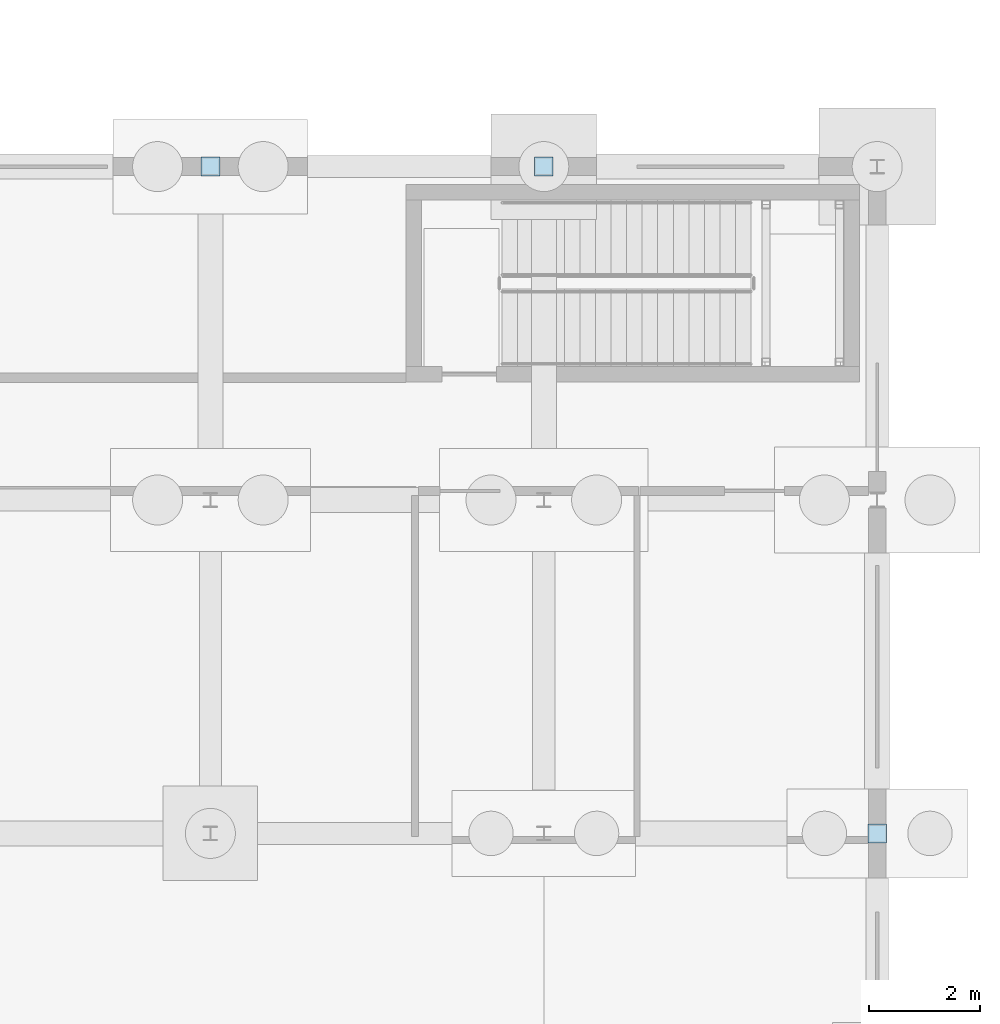
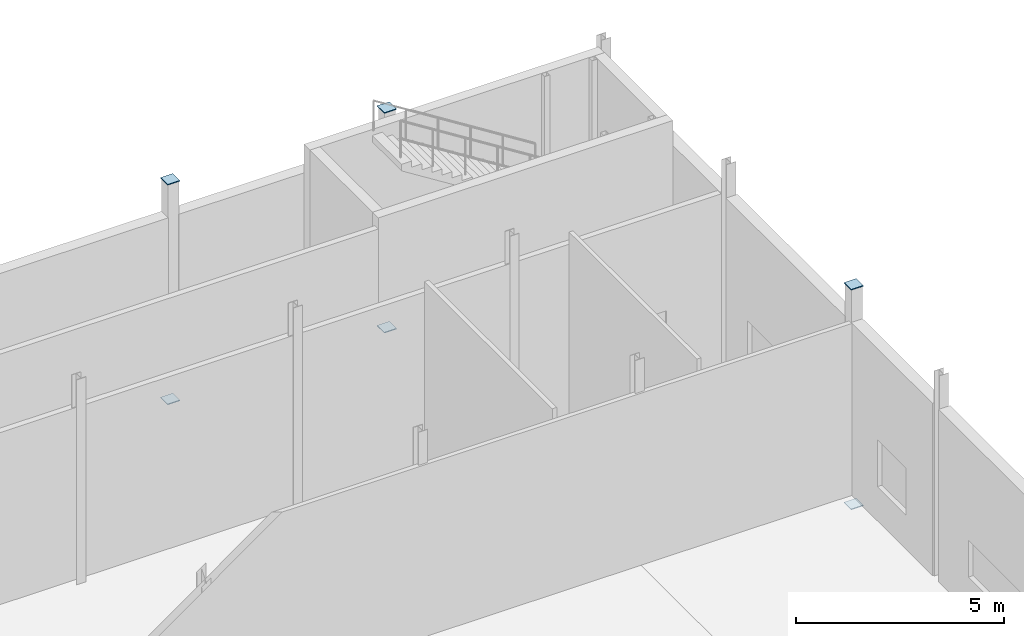
# One storey, part 89 of 120: 6 plates.
"""IFC4 building model written with IfcOpenShell, lengths in metres."""

from ifc_helpers import new_model, si_unit, direction, frame, origin, origin_2d, place, context, subcontext, project, spatial, rectangle, extrude, material, layer, layer_set, type_object, element, save


model = new_model("IFC4")

# Units and contexts
model_context = context("Model", 3, precision=1e-05, world=origin(), true_north=direction((0.0, 1.0)))
body_context = subcontext(model_context, "Body", "Model", "MODEL_VIEW")
ifc_project = project(units=[si_unit("LENGTHUNIT", "METRE"), si_unit("AREAUNIT", "SQUARE_METRE"), si_unit("VOLUMEUNIT", "CUBIC_METRE"), si_unit("PLANEANGLEUNIT", "RADIAN"), si_unit("MASSUNIT", "GRAM", prefix="KILO")], contexts=[model_context])

# Site, building, storey
site_placement = place(None, origin())
site = spatial("IfcSite", under=ifc_project, at=site_placement, CompositionType="ELEMENT")
building_placement = place(site_placement, origin())
building = spatial("IfcBuilding", under=site, at=building_placement, Name="Siltcreek Boulevard Central Fire Station", CompositionType="ELEMENT")
storey_placement = place(building_placement, origin())
storey = spatial("IfcBuildingStorey", under=building, at=storey_placement, Name="L01", CompositionType="ELEMENT", Elevation=0.0)

# Plates
ifc_material = material(Name="Structural steel ASTM A572 Gr50", Category="steel")
ifc_layer = layer(ifc_material, 0.02490234375, Name="Structural steel ASTM A572 Gr50")
ifc_layer_set = layer_set([ifc_layer], Name="Structural steel ASTM A572 Gr50")
plate_type = type_object("IfcPlateType", Name="PL_CAP25", PredefinedType="USERDEFINED", material=ifc_layer_set)
for number, where, z_axis, x_axis, name in (
    (1, (154.199951171875, 30.0, -0.432861328125), (0.0, 0.0, 1.0), (1.0, 0.0, 0.0), "L01 structural column COLG-L01-1542-300 sealed end cap 1"),
    (2, (154.199951171875, 30.0, 5.998046875), (0.0, 0.0, 1.0), (1.0, 0.0, 0.0), "L01 structural column COLG-L01-1542-300 sealed end cap 2"),
    (3, (160.199951171875, 30.0, -0.432861328125), (0.0, 0.0, 1.0), (1.0, 0.0, 0.0), "L01 structural column COLG-L01-1602-300 sealed end cap 1"),
    (4, (160.199951171875, 30.0, 5.998046875), (0.0, 0.0, 1.0), (1.0, 0.0, 0.0), "L01 structural column COLG-L01-1602-300 sealed end cap 2"),
    (5, (166.199951171875, 18.0, -0.432861328125), (0.0, 0.0, 1.0), (1.0, 0.0, 0.0), "L01 structural column COLG-L01-1662-180 sealed end cap 1"),
    (6, (166.199951171875, 18.0, 5.998046875), (0.0, 0.0, 1.0), (1.0, 0.0, 0.0), "L01 structural column COLG-L01-1662-180 sealed end cap 2"),
):
    element("IfcPlate", number, at=place(storey_placement, frame(where, z_axis=z_axis, x_axis=x_axis)), inside=storey, type_object=plate_type, Name=name, ObjectType="END CAP", PredefinedType="USERDEFINED", context=body_context, shape_type="SweptSolid", body=[
        extrude(rectangle(XDim=0.340087890625, YDim=0.340087890625, at=origin_2d()), origin(), (0.0, 0.0, 1.0), 0.02490234375),
    ])

save(model, "model.ifc")
